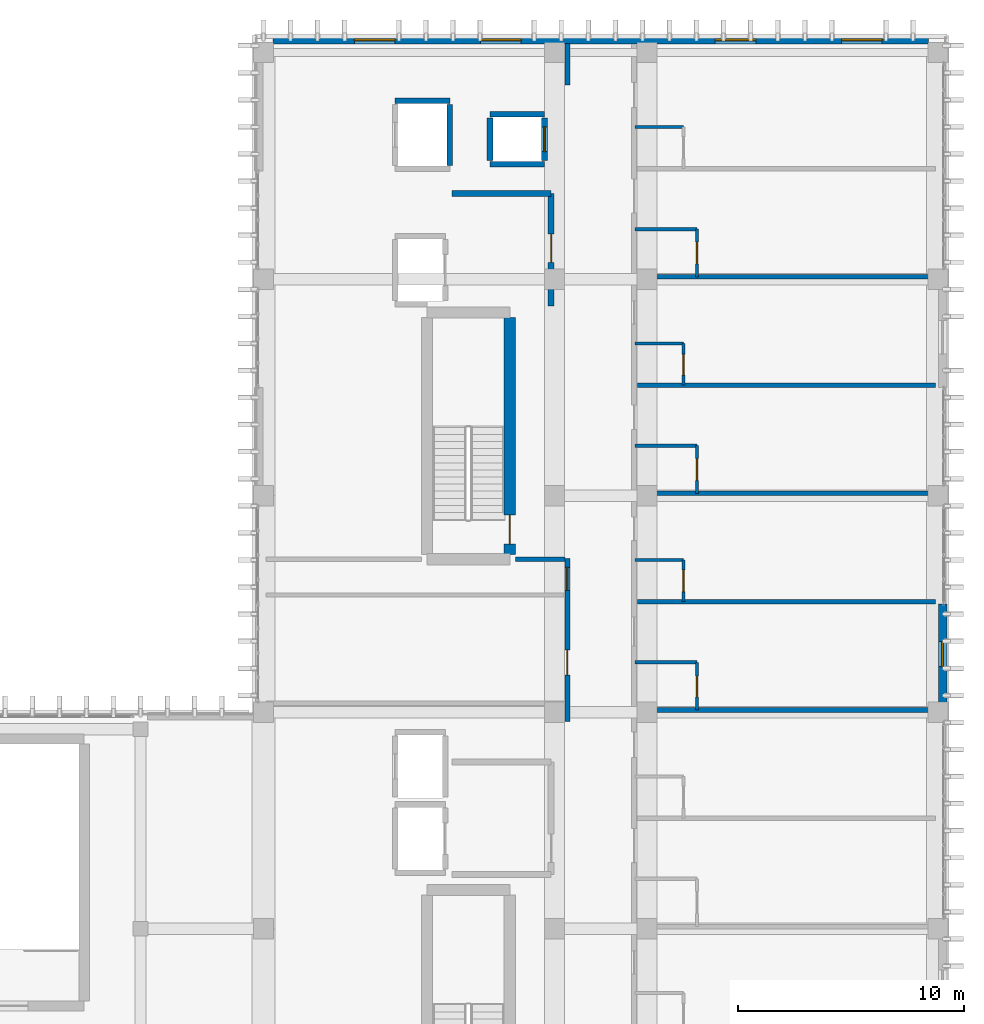
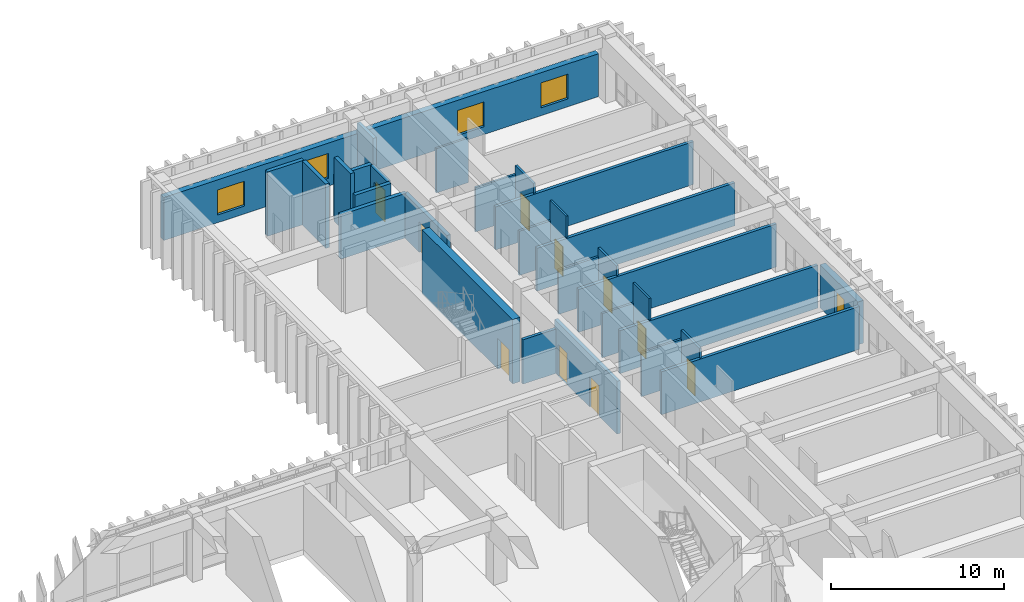
# One storey, part 81 of 101: 30 walls, 10 doors, 5 windows, 15 openings.
"""IFC4 building model written with IfcOpenShell, lengths in metres."""

from ifc_helpers import new_model, si_unit, direction, frame, frame_2d, origin, place, context, subcontext, project, spatial, rectangle, extrude, material, layer, layer_set, type_object, element, fill, save


model = new_model("IFC4")

# Units and contexts
model_context = context("Model", 3, precision=1e-05, world=origin(), true_north=direction((0.0, 1.0)))
body_context = subcontext(model_context, "Body", "Model", "MODEL_VIEW")
ifc_project = project(units=[si_unit("LENGTHUNIT", "METRE"), si_unit("AREAUNIT", "SQUARE_METRE"), si_unit("VOLUMEUNIT", "CUBIC_METRE"), si_unit("PLANEANGLEUNIT", "RADIAN"), si_unit("MASSUNIT", "GRAM", prefix="KILO")], contexts=[model_context])

# Site, building, storey
site_placement = place(None, origin())
site = spatial("IfcSite", under=ifc_project, at=site_placement, CompositionType="ELEMENT")
building_placement = place(site_placement, origin())
building = spatial("IfcBuilding", under=site, at=building_placement, Name="Nakhvara Creek Congress Hotel", CompositionType="ELEMENT")
storey_placement = place(building_placement, frame((0.0, 0.0, 16.199951171875)))
storey = spatial("IfcBuildingStorey", under=building, at=storey_placement, Name="L03", CompositionType="ELEMENT", Elevation=16.199951171875)

# Wall, opening, door
ifc_material_1 = material(Name="Concrete C50/60", Category="concrete")
ifc_layer_1 = layer(ifc_material_1, 0.5)
ifc_layer_set_1 = layer_set([ifc_layer_1], Name="Concrete C50/60")
wall_type_1 = type_object("IfcWallType", Name="W-CORE-500", PredefinedType="SHEAR", material=ifc_layer_set_1)
wall_1_placement = place(storey_placement, frame((160.3701171875, 103.0, 0.0), z_axis=(0.0, 0.0, 1.0), x_axis=(0.0, 1.0, 0.0)))
wall_1 = element("IfcWall", 1, at=wall_1_placement, inside=storey, type_object=wall_type_1, Name="Core Shear Wall WS01-CWALL-L03-0361", PredefinedType="SHEAR", context=body_context, shape_type="SweptSolid", body=[
    extrude(rectangle(XDim=10.5, YDim=0.5, at=frame_2d((5.25, 0.0))), origin(), (0.0, 0.0, 1.0), 4.5400390625),
])
opening_1_placement = place(wall_1_placement, frame((0.449951171875, 0.0, 0.0)))
opening_1 = element("IfcOpeningElement", 2, at=opening_1_placement, cuts=wall_1, Name="Opening FD04", PredefinedType="OPENING", context=body_context, shape_type="SweptSolid", body=[
    extrude(rectangle(XDim=1.300048828125, YDim=2.14990234375, at=frame_2d((0.64990234375, 1.074951171875))), frame((0.0, 0.261962890625, 0.0), z_axis=(0.0, -1.0, 0.0), x_axis=(1.0, 0.0, 0.0)), (0.0, 0.0, 1.0), 0.52392578125),
])
ifc_material_2 = material(Name="Powder-coated steel fire door", Category="steel")
door_type_1 = type_object("IfcDoorType", Name="DT-STAIR-130", OperationType="NOTDEFINED", PredefinedType="DOOR", material=ifc_material_2)
door_1_placement = place(opening_1_placement, frame((1.300048828125, 0.0, 0.0), z_axis=(0.0, 0.0, 1.0), x_axis=(-1.0, 0.0, 0.0)))
door_1 = element("IfcDoor", 3, at=door_1_placement, inside=storey, type_object=door_type_1, Name="Stair Exit Door ST02-L03", OperationType="SINGLE_SWING_LEFT", OverallHeight=2.14990234375, OverallWidth=1.300048828125, PredefinedType="DOOR", context=body_context, shape_type="SweptSolid", body=[
    extrude(rectangle(XDim=1.300048828125, YDim=2.14990234375, at=frame_2d((0.64990234375, 1.074951171875))), frame((0.0, 0.02490234375, 0.0), z_axis=(0.0, -1.0, 0.0), x_axis=(1.0, 0.0, 0.0)), (0.0, 0.0, 1.0), 0.050048828125),
])
fill(opening_1, door_1)

# Wall, openings, doors
ifc_material_3 = material(Name="Gypsum acoustic board on steel stud", Category="steel")
ifc_layer_2 = layer(ifc_material_3, 0.219970703125)
ifc_layer_set_2 = layer_set([ifc_layer_2], Name="Gypsum acoustic board on steel stud")
wall_type_2 = type_object("IfcWallType", Name="W-CORR-220", PredefinedType="PARTITIONING", material=ifc_layer_set_2)
wall_2_placement = place(storey_placement, frame((162.919921875, 95.60009765625, 0.0), z_axis=(0.0, 0.0, 1.0), x_axis=(0.0, 1.0, 0.0)))
wall_2 = element("IfcWall", 4, at=wall_2_placement, inside=storey, type_object=wall_type_2, Name="Interior Wall WP11-IW-L03-0210", PredefinedType="PARTITIONING", context=body_context, shape_type="SweptSolid", body=[
    extrude(rectangle(XDim=7.219970703125, YDim=0.219970703125, at=frame_2d((3.60986328125, 0.0))), origin(), (0.0, 0.0, 1.0), 3.73193359375),
])
opening_2_placement = place(wall_2_placement, frame((2.050048828125, 0.0, 0.0)))
opening_2 = element("IfcOpeningElement", 5, at=opening_2_placement, cuts=wall_2, Name="Opening BD01", PredefinedType="OPENING", context=body_context, shape_type="SweptSolid", body=[
    extrude(rectangle(XDim=1.1201171875, YDim=2.14990234375, at=frame_2d((0.56005859375, 1.074951171875))), frame((0.0, 0.1220703125, 0.0), z_axis=(0.0, -1.0, 0.0), x_axis=(1.0, 0.0, 0.0)), (0.0, 0.0, 1.0), 0.243896484375),
])
opening_3_placement = place(wall_2_placement, frame((5.800048828125, 0.0, 0.0)))
opening_3 = element("IfcOpeningElement", 6, at=opening_3_placement, cuts=wall_2, Name="Opening GD01", PredefinedType="OPENING", context=body_context, shape_type="SweptSolid", body=[
    extrude(rectangle(XDim=1.02001953125, YDim=2.199951171875, at=frame_2d((0.510009765625, 1.10009765625))), frame((0.0, 0.1220703125, 0.0), z_axis=(0.0, -1.0, 0.0), x_axis=(1.0, 0.0, 0.0)), (0.0, 0.0, 1.0), 0.243896484375),
])
ifc_material_4 = material(Name="Walnut hardwood timber fire door", Category="wood")
door_type_2 = type_object("IfcDoorType", Name="DT-GUEST-102", OperationType="NOTDEFINED", PredefinedType="DOOR", material=ifc_material_4)
door_2_placement = place(opening_3_placement, frame((1.02001953125, 0.0, 0.0), z_axis=(0.0, 0.0, 1.0), x_axis=(-1.0, 0.0, 0.0)))
door_2 = element("IfcDoor", 7, at=door_2_placement, inside=storey, type_object=door_type_2, Name="Interior Door GD01-0213", OperationType="SINGLE_SWING_RIGHT", OverallHeight=2.199951171875, OverallWidth=1.02001953125, PredefinedType="DOOR", context=body_context, shape_type="SweptSolid", body=[
    extrude(rectangle(XDim=1.02001953125, YDim=2.199951171875, at=frame_2d((0.510009765625, 1.10009765625))), frame((0.0, 0.02490234375, 0.0), z_axis=(0.0, -1.0, 0.0), x_axis=(1.0, 0.0, 0.0)), (0.0, 0.0, 1.0), 0.050048828125),
])
fill(opening_3, door_2)
ifc_material_5 = material(Name="Hardwood-faced service fire door", Category="wood")
door_type_3 = type_object("IfcDoorType", Name="DT-HK-112", OperationType="NOTDEFINED", PredefinedType="DOOR", material=ifc_material_5)
door_3_placement = place(opening_2_placement, frame((1.1201171875, 0.0, 0.0), z_axis=(0.0, 0.0, 1.0), x_axis=(-1.0, 0.0, 0.0)))
door_3 = element("IfcDoor", 8, at=door_3_placement, inside=storey, type_object=door_type_3, Name="Interior Door BD01-0212", OperationType="SINGLE_SWING_LEFT", OverallHeight=2.14990234375, OverallWidth=1.1201171875, PredefinedType="DOOR", context=body_context, shape_type="SweptSolid", body=[
    extrude(rectangle(XDim=1.1201171875, YDim=2.14990234375, at=frame_2d((0.56005859375, 1.074951171875))), frame((0.0, 0.02490234375, 0.0), z_axis=(0.0, -1.0, 0.0), x_axis=(1.0, 0.0, 0.0)), (0.0, 0.0, 1.0), 0.050048828125),
])
fill(opening_2, door_3)

# Wall
wall_3_placement = place(storey_placement, frame((162.919921875, 123.800048828125, 0.0), z_axis=(0.0, 0.0, 1.0), x_axis=(0.0, 1.0, 0.0)))
element("IfcWall", 9, at=wall_3_placement, inside=storey, type_object=wall_type_2, Name="Interior Wall WP11-IW-L03-0211", PredefinedType="PARTITIONING", context=body_context, shape_type="SweptSolid", body=[
    extrude(rectangle(XDim=1.849853515625, YDim=0.219970703125, at=frame_2d((0.9248046875, 0.0))), origin(), (0.0, 0.0, 1.0), 3.781982421875),
])

# Wall, opening, door
ifc_material_6 = material(Name="Moisture-resistant gypsum board partition")
ifc_layer_3 = layer(ifc_material_6, 0.139892578125)
ifc_layer_set_3 = layer_set([ifc_layer_3], Name="Moisture-resistant gypsum board partition")
wall_type_3 = type_object("IfcWallType", Name="W-ENS-140", PredefinedType="PARTITIONING", material=ifc_layer_set_3)
wall_4_placement = place(storey_placement, frame((168.669921875, 96.10009765625, 0.0), z_axis=(0.0, 0.0, 1.0), x_axis=(0.0, 1.0, 0.0)))
wall_4 = element("IfcWall", 10, at=wall_4_placement, inside=storey, type_object=wall_type_3, Name="Interior Wall WP15-IW-L03-0268", PredefinedType="PARTITIONING", context=body_context, shape_type="SweptSolid", body=[
    extrude(rectangle(XDim=2.115966796875, YDim=0.139892578125, at=frame_2d((1.05810546875, 0.0))), origin(), (0.0, 0.0, 1.0), 3.73193359375),
])
opening_4_placement = place(wall_4_placement, frame((0.5830078125, 0.0, 0.0)))
opening_4 = element("IfcOpeningElement", 11, at=opening_4_placement, cuts=wall_4, Name="Opening ID01", PredefinedType="OPENING", context=body_context, shape_type="SweptSolid", body=[
    extrude(rectangle(XDim=0.919921875, YDim=2.10009765625, at=frame_2d((0.4599609375, 1.050048828125))), frame((0.0, 0.08203125, 0.0), z_axis=(0.0, -1.0, 0.0), x_axis=(1.0, 0.0, 0.0)), (0.0, 0.0, 1.0), 0.163818359375),
])
ifc_material_7 = material(Name="Moisture-resistant walnut timber door", Category="wood")
door_type_4 = type_object("IfcDoorType", Name="DT-ENS-092", OperationType="NOTDEFINED", PredefinedType="DOOR", material=ifc_material_7)
door_4_placement = place(opening_4_placement, frame((0.919921875, 0.0, 0.0), z_axis=(0.0, 0.0, 1.0), x_axis=(-1.0, 0.0, 0.0)))
door_4 = element("IfcDoor", 12, at=door_4_placement, inside=storey, type_object=door_type_4, Name="Interior Door ID01-0241", OperationType="SINGLE_SWING_RIGHT", OverallHeight=2.10009765625, OverallWidth=0.919921875, PredefinedType="DOOR", context=body_context, shape_type="SweptSolid", body=[
    extrude(rectangle(XDim=0.919921875, YDim=2.10009765625, at=frame_2d((0.4599609375, 1.050048828125))), frame((0.0, 0.02490234375, 0.0), z_axis=(0.0, -1.0, 0.0), x_axis=(1.0, 0.0, 0.0)), (0.0, 0.0, 1.0), 0.050048828125),
])
fill(opening_4, door_4)

# Wall
wall_5_placement = place(storey_placement, frame((165.919921875, 98.216064453125, 0.0), z_axis=(0.0, 0.0, 1.0), x_axis=(1.0, 0.0, 0.0)))
element("IfcWall", 13, at=wall_5_placement, inside=storey, type_object=wall_type_3, Name="Interior Wall WP15-IW-L03-0269", PredefinedType="PARTITIONING", context=body_context, shape_type="SweptSolid", body=[
    extrude(rectangle(XDim=2.75, YDim=0.139892578125, at=frame_2d((1.375, 0.0))), origin(), (0.0, 0.0, 1.0), 3.132080078125),
])

# Wall, opening, door
wall_6_placement = place(storey_placement, frame((168.070068359375, 100.89990234375, 0.0), z_axis=(0.0, 0.0, 1.0), x_axis=(0.0, 1.0, 0.0)))
wall_6 = element("IfcWall", 14, at=wall_6_placement, inside=storey, type_object=wall_type_3, Name="Interior Wall WP15-IW-L03-0271", PredefinedType="PARTITIONING", context=body_context, shape_type="SweptSolid", body=[
    extrude(rectangle(XDim=1.85009765625, YDim=0.139892578125, at=frame_2d((0.925048828125, 0.0))), origin(), (0.0, 0.0, 1.0), 4.5400390625),
])
opening_5_placement = place(wall_6_placement, frame((0.449951171875, 0.0, 0.0)))
opening_5 = element("IfcOpeningElement", 15, at=opening_5_placement, cuts=wall_6, Name="Opening ID02", PredefinedType="OPENING", context=body_context, shape_type="SweptSolid", body=[
    extrude(rectangle(XDim=0.9599609375, YDim=2.1201171875, at=frame_2d((0.47998046875, 1.06005859375))), frame((0.0, 0.08203125, 0.0), z_axis=(0.0, -1.0, 0.0), x_axis=(1.0, 0.0, 0.0)), (0.0, 0.0, 1.0), 0.163818359375),
])
door_type_5 = type_object("IfcDoorType", Name="DT-ENS-096", OperationType="NOTDEFINED", PredefinedType="DOOR", material=ifc_material_7)
door_5_placement = place(opening_5_placement, frame((0.9599609375, 0.0, 0.0), z_axis=(0.0, 0.0, 1.0), x_axis=(-1.0, 0.0, 0.0)))
door_5 = element("IfcDoor", 16, at=door_5_placement, inside=storey, type_object=door_type_5, Name="Interior Door ID02-0243", OperationType="SINGLE_SWING_RIGHT", OverallHeight=2.1201171875, OverallWidth=0.9599609375, PredefinedType="DOOR", context=body_context, shape_type="SweptSolid", body=[
    extrude(rectangle(XDim=0.9599609375, YDim=2.1201171875, at=frame_2d((0.47998046875, 1.06005859375))), frame((0.0, 0.02490234375, 0.0), z_axis=(0.0, -1.0, 0.0), x_axis=(1.0, 0.0, 0.0)), (0.0, 0.0, 1.0), 0.050048828125),
])
fill(opening_5, door_5)

# Wall
wall_7_placement = place(storey_placement, frame((165.919921875, 102.75, 0.0), z_axis=(0.0, 0.0, 1.0), x_axis=(1.0, 0.0, 0.0)))
element("IfcWall", 17, at=wall_7_placement, inside=storey, type_object=wall_type_3, Name="Interior Wall WP15-IW-L03-0272", PredefinedType="PARTITIONING", context=body_context, shape_type="SweptSolid", body=[
    extrude(rectangle(XDim=2.150146484375, YDim=0.139892578125, at=frame_2d((1.0751953125, 0.0))), origin(), (0.0, 0.0, 1.0), 3.132080078125),
])

# Wall, opening, door
wall_8_placement = place(storey_placement, frame((168.669921875, 105.699951171875, 0.0), z_axis=(0.0, 0.0, 1.0), x_axis=(0.0, 1.0, 0.0)))
wall_8 = element("IfcWall", 18, at=wall_8_placement, inside=storey, type_object=wall_type_3, Name="Interior Wall WP15-IW-L03-0274", PredefinedType="PARTITIONING", context=body_context, shape_type="SweptSolid", body=[
    extrude(rectangle(XDim=2.115966796875, YDim=0.139892578125, at=frame_2d((1.05810546875, 0.0))), origin(), (0.0, 0.0, 1.0), 3.73193359375),
])
opening_6_placement = place(wall_8_placement, frame((0.5830078125, 0.0, 0.0)))
opening_6 = element("IfcOpeningElement", 19, at=opening_6_placement, cuts=wall_8, Name="Opening ID02", PredefinedType="OPENING", context=body_context, shape_type="SweptSolid", body=[
    extrude(rectangle(XDim=0.9599609375, YDim=2.1201171875, at=frame_2d((0.47998046875, 1.06005859375))), frame((0.0, 0.08203125, 0.0), z_axis=(0.0, -1.0, 0.0), x_axis=(1.0, 0.0, 0.0)), (0.0, 0.0, 1.0), 0.163818359375),
])
door_6_placement = place(opening_6_placement, frame((0.9599609375, 0.0, 0.0), z_axis=(0.0, 0.0, 1.0), x_axis=(-1.0, 0.0, 0.0)))
door_6 = element("IfcDoor", 20, at=door_6_placement, inside=storey, type_object=door_type_5, Name="Interior Door ID02-0245", OperationType="SINGLE_SWING_RIGHT", OverallHeight=2.1201171875, OverallWidth=0.9599609375, PredefinedType="DOOR", context=body_context, shape_type="SweptSolid", body=[
    extrude(rectangle(XDim=0.9599609375, YDim=2.1201171875, at=frame_2d((0.47998046875, 1.06005859375))), frame((0.0, 0.02490234375, 0.0), z_axis=(0.0, -1.0, 0.0), x_axis=(1.0, 0.0, 0.0)), (0.0, 0.0, 1.0), 0.050048828125),
])
fill(opening_6, door_6)

# Wall
wall_9_placement = place(storey_placement, frame((165.919921875, 107.81591796875, 0.0), z_axis=(0.0, 0.0, 1.0), x_axis=(1.0, 0.0, 0.0)))
element("IfcWall", 21, at=wall_9_placement, inside=storey, type_object=wall_type_3, Name="Interior Wall WP15-IW-L03-0275", PredefinedType="PARTITIONING", context=body_context, shape_type="SweptSolid", body=[
    extrude(rectangle(XDim=2.75, YDim=0.139892578125, at=frame_2d((1.375, 0.0))), origin(), (0.0, 0.0, 1.0), 3.132080078125),
])

# Wall, opening, door
wall_10_placement = place(storey_placement, frame((168.070068359375, 110.5, 0.0), z_axis=(0.0, 0.0, 1.0), x_axis=(0.0, 1.0, 0.0)))
wall_10 = element("IfcWall", 22, at=wall_10_placement, inside=storey, type_object=wall_type_3, Name="Interior Wall WP15-IW-L03-0277", PredefinedType="PARTITIONING", context=body_context, shape_type="SweptSolid", body=[
    extrude(rectangle(XDim=1.85009765625, YDim=0.139892578125, at=frame_2d((0.925048828125, 0.0))), origin(), (0.0, 0.0, 1.0), 4.5400390625),
])
opening_7_placement = place(wall_10_placement, frame((0.449951171875, 0.0, 0.0)))
opening_7 = element("IfcOpeningElement", 23, at=opening_7_placement, cuts=wall_10, Name="Opening ID01", PredefinedType="OPENING", context=body_context, shape_type="SweptSolid", body=[
    extrude(rectangle(XDim=0.919921875, YDim=2.10009765625, at=frame_2d((0.4599609375, 1.050048828125))), frame((0.0, 0.08203125, 0.0), z_axis=(0.0, -1.0, 0.0), x_axis=(1.0, 0.0, 0.0)), (0.0, 0.0, 1.0), 0.163818359375),
])
door_7_placement = place(opening_7_placement, frame((0.919921875, 0.0, 0.0), z_axis=(0.0, 0.0, 1.0), x_axis=(-1.0, 0.0, 0.0)))
door_7 = element("IfcDoor", 24, at=door_7_placement, inside=storey, type_object=door_type_4, Name="Interior Door ID01-0247", OperationType="SINGLE_SWING_RIGHT", OverallHeight=2.10009765625, OverallWidth=0.919921875, PredefinedType="DOOR", context=body_context, shape_type="SweptSolid", body=[
    extrude(rectangle(XDim=0.919921875, YDim=2.10009765625, at=frame_2d((0.4599609375, 1.050048828125))), frame((0.0, 0.02490234375, 0.0), z_axis=(0.0, -1.0, 0.0), x_axis=(1.0, 0.0, 0.0)), (0.0, 0.0, 1.0), 0.050048828125),
])
fill(opening_7, door_7)

# Wall
wall_11_placement = place(storey_placement, frame((165.919921875, 112.35009765625, 0.0), z_axis=(0.0, 0.0, 1.0), x_axis=(1.0, 0.0, 0.0)))
element("IfcWall", 25, at=wall_11_placement, inside=storey, type_object=wall_type_3, Name="Interior Wall WP15-IW-L03-0278", PredefinedType="PARTITIONING", context=body_context, shape_type="SweptSolid", body=[
    extrude(rectangle(XDim=2.150146484375, YDim=0.139892578125, at=frame_2d((1.0751953125, 0.0))), origin(), (0.0, 0.0, 1.0), 3.132080078125),
])

# Wall, opening, door
wall_12_placement = place(storey_placement, frame((168.669921875, 115.300048828125, 0.0), z_axis=(0.0, 0.0, 1.0), x_axis=(0.0, 1.0, 0.0)))
wall_12 = element("IfcWall", 26, at=wall_12_placement, inside=storey, type_object=wall_type_3, Name="Interior Wall WP15-IW-L03-0280", PredefinedType="PARTITIONING", context=body_context, shape_type="SweptSolid", body=[
    extrude(rectangle(XDim=2.115966796875, YDim=0.139892578125, at=frame_2d((1.05810546875, 0.0))), origin(), (0.0, 0.0, 1.0), 3.73193359375),
])
opening_8_placement = place(wall_12_placement, frame((0.5830078125, 0.0, 0.0)))
opening_8 = element("IfcOpeningElement", 27, at=opening_8_placement, cuts=wall_12, Name="Opening ID02", PredefinedType="OPENING", context=body_context, shape_type="SweptSolid", body=[
    extrude(rectangle(XDim=0.9599609375, YDim=2.1201171875, at=frame_2d((0.47998046875, 1.06005859375))), frame((0.0, 0.08203125, 0.0), z_axis=(0.0, -1.0, 0.0), x_axis=(1.0, 0.0, 0.0)), (0.0, 0.0, 1.0), 0.163818359375),
])
door_8_placement = place(opening_8_placement, frame((0.9599609375, 0.0, 0.0), z_axis=(0.0, 0.0, 1.0), x_axis=(-1.0, 0.0, 0.0)))
door_8 = element("IfcDoor", 28, at=door_8_placement, inside=storey, type_object=door_type_5, Name="Interior Door ID02-0249", OperationType="SINGLE_SWING_RIGHT", OverallHeight=2.1201171875, OverallWidth=0.9599609375, PredefinedType="DOOR", context=body_context, shape_type="SweptSolid", body=[
    extrude(rectangle(XDim=0.9599609375, YDim=2.1201171875, at=frame_2d((0.47998046875, 1.06005859375))), frame((0.0, 0.02490234375, 0.0), z_axis=(0.0, -1.0, 0.0), x_axis=(1.0, 0.0, 0.0)), (0.0, 0.0, 1.0), 0.050048828125),
])
fill(opening_8, door_8)

# Walls
wall_13_placement = place(storey_placement, frame((165.919921875, 117.416015625, 0.0), z_axis=(0.0, 0.0, 1.0), x_axis=(1.0, 0.0, 0.0)))
element("IfcWall", 29, at=wall_13_placement, inside=storey, type_object=wall_type_3, Name="Interior Wall WP15-IW-L03-0281", PredefinedType="PARTITIONING", context=body_context, shape_type="SweptSolid", body=[
    extrude(rectangle(XDim=2.75, YDim=0.139892578125, at=frame_2d((1.375, 0.0))), origin(), (0.0, 0.0, 1.0), 3.132080078125),
])
wall_14_placement = place(storey_placement, frame((165.919921875, 121.949951171875, 0.0), z_axis=(0.0, 0.0, 1.0), x_axis=(1.0, 0.0, 0.0)))
element("IfcWall", 30, at=wall_14_placement, inside=storey, type_object=wall_type_3, Name="Interior Wall WP15-IW-L03-0284", PredefinedType="PARTITIONING", context=body_context, shape_type="SweptSolid", body=[
    extrude(rectangle(XDim=2.150146484375, YDim=0.139892578125, at=frame_2d((1.0751953125, 0.0))), origin(), (0.0, 0.0, 1.0), 3.132080078125),
])

# Wall, openings, windows
ifc_material_8 = material(Name="Honed pale Omani limestone cladding", Category="masonry")
ifc_layer_4 = layer(ifc_material_8, 0.050048828125)
ifc_material_9 = material(Name="Mineral wool thermal insulation")
ifc_layer_5 = layer(ifc_material_9, 0.110107421875)
ifc_material_10 = material(Name="Precast concrete C40/50", Category="concrete")
ifc_layer_6 = layer(ifc_material_10, 0.219970703125)
ifc_layer_set_4 = layer_set([ifc_layer_4, ifc_layer_5, ifc_layer_6], Name="Precast concrete C40/50")
wall_type_4 = type_object("IfcWallType", Name="W-EXT-380", PredefinedType="SOLIDWALL", material=ifc_layer_set_4)
wall_15_placement = place(storey_placement, frame((149.875, 125.81005859375, 0.0), z_axis=(0.0, 0.0, 1.0), x_axis=(1.0, 0.0, 0.0)))
wall_15 = element("IfcWall", 31, at=wall_15_placement, inside=storey, type_object=wall_type_4, Name="Exterior Wall WE03-EW-L03-0119", PredefinedType="SOLIDWALL", context=body_context, shape_type="SweptSolid", body=[
    extrude(rectangle(XDim=29.050048828125, YDim=0.3798828125, at=frame_2d((14.52490234375, 0.0))), origin(), (0.0, 0.0, 1.0), 3.031982421875),
])
opening_9_placement = place(wall_15_placement, frame((3.60009765625, 0.0, 0.550048828125)))
opening_9 = element("IfcOpeningElement", 32, at=opening_9_placement, cuts=wall_15, Name="Opening WN0126", PredefinedType="OPENING", context=body_context, shape_type="SweptSolid", body=[
    extrude(rectangle(XDim=1.800048828125, YDim=1.760009765625, at=frame_2d((0.89990234375, 0.8798828125))), frame((0.0, 0.201904296875, 0.0), z_axis=(0.0, -1.0, 0.0), x_axis=(1.0, 0.0, 0.0)), (0.0, 0.0, 1.0), 0.40380859375),
])
opening_10_placement = place(wall_15_placement, frame((9.199951171875, 0.0, 0.550048828125)))
opening_10 = element("IfcOpeningElement", 33, at=opening_10_placement, cuts=wall_15, Name="Opening WN0127", PredefinedType="OPENING", context=body_context, shape_type="SweptSolid", body=[
    extrude(rectangle(XDim=1.800048828125, YDim=1.760009765625, at=frame_2d((0.89990234375, 0.8798828125))), frame((0.0, 0.201904296875, 0.0), z_axis=(0.0, -1.0, 0.0), x_axis=(1.0, 0.0, 0.0)), (0.0, 0.0, 1.0), 0.40380859375),
])
opening_11_placement = place(wall_15_placement, frame((19.60009765625, 0.0, 0.550048828125)))
opening_11 = element("IfcOpeningElement", 34, at=opening_11_placement, cuts=wall_15, Name="Opening WN0128", PredefinedType="OPENING", context=body_context, shape_type="SweptSolid", body=[
    extrude(rectangle(XDim=1.800048828125, YDim=1.760009765625, at=frame_2d((0.89990234375, 0.8798828125))), frame((0.0, 0.201904296875, 0.0), z_axis=(0.0, -1.0, 0.0), x_axis=(1.0, 0.0, 0.0)), (0.0, 0.0, 1.0), 0.40380859375),
])
opening_12_placement = place(wall_15_placement, frame((25.199951171875, 0.0, 0.550048828125)))
opening_12 = element("IfcOpeningElement", 35, at=opening_12_placement, cuts=wall_15, Name="Opening WN0129", PredefinedType="OPENING", context=body_context, shape_type="SweptSolid", body=[
    extrude(rectangle(XDim=1.800048828125, YDim=1.760009765625, at=frame_2d((0.89990234375, 0.8798828125))), frame((0.0, 0.201904296875, 0.0), z_axis=(0.0, -1.0, 0.0), x_axis=(1.0, 0.0, 0.0)), (0.0, 0.0, 1.0), 0.40380859375),
])
ifc_material_11 = material(Name="Thermally broken bronze-anodised aluminium and double-silver low-E insulated glass", Category="aluminium")
window_type_1 = type_object("IfcWindowType", Name="WN-LAN-180X225", PartitioningType="SINGLE_PANEL", PredefinedType="WINDOW", material=ifc_material_11)
window_1_placement = place(opening_9_placement, origin())
window_1 = element("IfcWindow", 36, at=window_1_placement, inside=storey, type_object=window_type_1, Name="Facade Window WN0126", OverallHeight=1.760009765625, OverallWidth=1.800048828125, PartitioningType="SINGLE_PANEL", PredefinedType="WINDOW", context=body_context, shape_type="SweptSolid", body=[
    extrude(rectangle(XDim=1.800048828125, YDim=1.760009765625, at=frame_2d((0.89990234375, 0.8798828125))), frame((0.0, 0.030029296875, 0.0), z_axis=(0.0, -1.0, 0.0), x_axis=(1.0, 0.0, 0.0)), (0.0, 0.0, 1.0), 0.06005859375),
])
fill(opening_9, window_1)
window_2_placement = place(opening_10_placement, origin())
window_2 = element("IfcWindow", 37, at=window_2_placement, inside=storey, type_object=window_type_1, Name="Facade Window WN0127", OverallHeight=1.760009765625, OverallWidth=1.800048828125, PartitioningType="SINGLE_PANEL", PredefinedType="WINDOW", context=body_context, shape_type="SweptSolid", body=[
    extrude(rectangle(XDim=1.800048828125, YDim=1.760009765625, at=frame_2d((0.89990234375, 0.8798828125))), frame((0.0, 0.030029296875, 0.0), z_axis=(0.0, -1.0, 0.0), x_axis=(1.0, 0.0, 0.0)), (0.0, 0.0, 1.0), 0.06005859375),
])
fill(opening_10, window_2)
window_3_placement = place(opening_11_placement, origin())
window_3 = element("IfcWindow", 38, at=window_3_placement, inside=storey, type_object=window_type_1, Name="Facade Window WN0128", OverallHeight=1.760009765625, OverallWidth=1.800048828125, PartitioningType="SINGLE_PANEL", PredefinedType="WINDOW", context=body_context, shape_type="SweptSolid", body=[
    extrude(rectangle(XDim=1.800048828125, YDim=1.760009765625, at=frame_2d((0.89990234375, 0.8798828125))), frame((0.0, 0.030029296875, 0.0), z_axis=(0.0, -1.0, 0.0), x_axis=(1.0, 0.0, 0.0)), (0.0, 0.0, 1.0), 0.06005859375),
])
fill(opening_11, window_3)
window_4_placement = place(opening_12_placement, origin())
window_4 = element("IfcWindow", 39, at=window_4_placement, inside=storey, type_object=window_type_1, Name="Facade Window WN0129", OverallHeight=1.760009765625, OverallWidth=1.800048828125, PartitioningType="SINGLE_PANEL", PredefinedType="WINDOW", context=body_context, shape_type="SweptSolid", body=[
    extrude(rectangle(XDim=1.800048828125, YDim=1.760009765625, at=frame_2d((0.89990234375, 0.8798828125))), frame((0.0, 0.030029296875, 0.0), z_axis=(0.0, -1.0, 0.0), x_axis=(1.0, 0.0, 0.0)), (0.0, 0.0, 1.0), 0.06005859375),
])
fill(opening_12, window_4)

# Wall, opening, window
wall_16_placement = place(storey_placement, frame((179.56005859375, 100.800048828125, 0.0), z_axis=(0.0, 0.0, 1.0), x_axis=(0.0, -1.0, 0.0)))
wall_16 = element("IfcWall", 40, at=wall_16_placement, inside=storey, type_object=wall_type_4, Name="Exterior Wall WE03-EW-L03-0127", PredefinedType="SOLIDWALL", context=body_context, shape_type="SweptSolid", body=[
    extrude(rectangle(XDim=4.375, YDim=0.3798828125, at=frame_2d((2.1875, 0.0))), origin(), (0.0, 0.0, 1.0), 3.031982421875),
])
opening_13_placement = place(wall_16_placement, frame((1.672607421875, 0.0, 0.550048828125)))
opening_13 = element("IfcOpeningElement", 41, at=opening_13_placement, cuts=wall_16, Name="Opening WN0137", PredefinedType="OPENING", context=body_context, shape_type="SweptSolid", body=[
    extrude(rectangle(XDim=1.10009765625, YDim=1.699951171875, at=frame_2d((0.550048828125, 0.85009765625))), frame((0.0, 0.201904296875, 0.0), z_axis=(0.0, -1.0, 0.0), x_axis=(1.0, 0.0, 0.0)), (0.0, 0.0, 1.0), 0.40380859375),
])
window_type_2 = type_object("IfcWindowType", Name="WN-LAN-110X215", PartitioningType="SINGLE_PANEL", PredefinedType="WINDOW", material=ifc_material_11)
window_5_placement = place(opening_13_placement, origin())
window_5 = element("IfcWindow", 42, at=window_5_placement, inside=storey, type_object=window_type_2, Name="Facade Window WN0137", OverallHeight=1.699951171875, OverallWidth=1.10009765625, PartitioningType="SINGLE_PANEL", PredefinedType="WINDOW", context=body_context, shape_type="SweptSolid", body=[
    extrude(rectangle(XDim=1.10009765625, YDim=1.699951171875, at=frame_2d((0.550048828125, 0.85009765625))), frame((0.0, 0.030029296875, 0.0), z_axis=(0.0, -1.0, 0.0), x_axis=(1.0, 0.0, 0.0)), (0.0, 0.0, 1.0), 0.06005859375),
])
fill(opening_13, window_5)

# Wall, opening, door
ifc_material_12 = material(Name="Concrete C40/50", Category="concrete")
ifc_layer_7 = layer(ifc_material_12, 0.260009765625)
ifc_layer_set_5 = layer_set([ifc_layer_7], Name="Concrete C40/50")
wall_type_5 = type_object("IfcWallType", Name="W-FFL-260", PredefinedType="SOLIDWALL", material=ifc_layer_set_5)
wall_17_placement = place(storey_placement, frame((162.199951171875, 114.0, 0.0), z_axis=(0.0, 0.0, 1.0), x_axis=(0.0, 1.0, 0.0)))
wall_17 = element("IfcWall", 43, at=wall_17_placement, inside=storey, type_object=wall_type_5, Name="Core Shear Wall WI03-CWALL-L03-0374", PredefinedType="SOLIDWALL", context=body_context, shape_type="SweptSolid", body=[
    extrude(rectangle(XDim=5.0, YDim=0.260009765625, at=frame_2d((2.5, 0.0))), origin(), (0.0, 0.0, 1.0), 3.132080078125),
])
opening_14_placement = place(wall_17_placement, frame((1.949951171875, 0.0, 0.0)))
opening_14 = element("IfcOpeningElement", 44, at=opening_14_placement, cuts=wall_17, Name="Opening FD05", PredefinedType="OPENING", context=body_context, shape_type="SweptSolid", body=[
    extrude(rectangle(XDim=1.25, YDim=2.14990234375, at=frame_2d((0.625, 1.074951171875))), frame((0.0, 0.14208984375, 0.0), z_axis=(0.0, -1.0, 0.0), x_axis=(1.0, 0.0, 0.0)), (0.0, 0.0, 1.0), 0.283935546875),
])
ifc_material_13 = material(Name="Hardwood-veneered steel fire door", Category="steel")
door_type_6 = type_object("IfcDoorType", Name="DT-FFL-125", OperationType="NOTDEFINED", PredefinedType="DOOR", material=ifc_material_13)
door_9_placement = place(opening_14_placement, origin())
door_9 = element("IfcDoor", 45, at=door_9_placement, inside=storey, type_object=door_type_6, Name="Firefighting Lobby Door C2-L03", OperationType="DOUBLE_DOOR_SINGLE_SWING", OverallHeight=2.14990234375, OverallWidth=1.25, PredefinedType="DOOR", context=body_context, shape_type="SweptSolid", body=[
    extrude(rectangle(XDim=1.25, YDim=2.14990234375, at=frame_2d((0.625, 1.074951171875))), frame((0.0, 0.02490234375, 0.0), z_axis=(0.0, -1.0, 0.0), x_axis=(1.0, 0.0, 0.0)), (0.0, 0.0, 1.0), 0.050048828125),
])
fill(opening_14, door_9)

# Walls
wall_18_placement = place(storey_placement, frame((157.800048828125, 119.0, 0.0), z_axis=(0.0, 0.0, 1.0), x_axis=(1.0, 0.0, 0.0)))
element("IfcWall", 46, at=wall_18_placement, inside=storey, type_object=wall_type_5, Name="Core Shear Wall WI03-CWALL-L03-0375", PredefinedType="SOLIDWALL", context=body_context, shape_type="SweptSolid", body=[
    extrude(rectangle(XDim=4.39990234375, YDim=0.260009765625, at=frame_2d((2.199951171875, 0.0))), origin(), (0.0, 0.0, 1.0), 3.132080078125),
])
ifc_layer_8 = layer(ifc_material_3, 0.199951171875)
ifc_layer_set_6 = layer_set([ifc_layer_8], Name="Gypsum acoustic board on steel stud")
wall_type_6 = type_object("IfcWallType", Name="W-PART-200", PredefinedType="PARTITIONING", material=ifc_layer_set_6)
wall_19_placement = place(storey_placement, frame((160.6201171875, 102.780029296875, 0.0), z_axis=(0.0, 0.0, 1.0), x_axis=(1.0, 0.0, 0.0)))
element("IfcWall", 47, at=wall_19_placement, inside=storey, type_object=wall_type_6, Name="Interior Wall WP12-IW-L03-0232", PredefinedType="PARTITIONING", context=body_context, shape_type="SweptSolid", body=[
    extrude(rectangle(XDim=2.18994140625, YDim=0.199951171875, at=frame_2d((1.094970703125, 0.0))), origin(), (0.0, 0.0, 1.0), 3.132080078125),
])
for number, where, z_axis, x_axis, name in (
    (48, (166.02001953125, 96.10009765625, 0.0), (0.0, 0.0, 1.0), (1.0, 0.0, 0.0), "Interior Wall WP12-IW-L03-0267"),
    (49, (166.02001953125, 100.89990234375, 0.0), (0.0, 0.0, 1.0), (1.0, 0.0, 0.0), "Interior Wall WP12-IW-L03-0270"),
    (50, (166.02001953125, 105.699951171875, 0.0), (0.0, 0.0, 1.0), (1.0, 0.0, 0.0), "Interior Wall WP12-IW-L03-0273"),
    (51, (166.02001953125, 110.5, 0.0), (0.0, 0.0, 1.0), (1.0, 0.0, 0.0), "Interior Wall WP12-IW-L03-0276"),
    (52, (166.02001953125, 115.300048828125, 0.0), (0.0, 0.0, 1.0), (1.0, 0.0, 0.0), "Interior Wall WP12-IW-L03-0279"),
):
    element("IfcWall", number, at=place(storey_placement, frame(where, z_axis=z_axis, x_axis=x_axis)), inside=storey, type_object=wall_type_6, Name=name, PredefinedType="PARTITIONING", context=body_context, shape_type="SweptSolid", body=[
        extrude(rectangle(XDim=13.22998046875, YDim=0.199951171875, at=frame_2d((6.614990234375, 0.0))), origin(), (0.0, 0.0, 1.0), 3.031982421875),
    ])
ifc_layer_9 = layer(ifc_material_12, 0.25)
ifc_layer_set_7 = layer_set([ifc_layer_9], Name="Concrete C40/50")
wall_type_7 = type_object("IfcWallType", Name="W-SHAFT-250", PredefinedType="SOLIDWALL", material=ifc_layer_set_7)
for number, where, z_axis, x_axis, name in (
    (53, (159.489990234375, 120.2900390625, 0.0), (0.0, 0.0, 1.0), (1.0, 0.0, 0.0), "Core Shear Wall WI02-CWALL-L03-0366"),
    (54, (159.489990234375, 122.510009765625, 0.0), (0.0, 0.0, 1.0), (1.0, 0.0, 0.0), "Core Shear Wall WI02-CWALL-L03-0367"),
):
    element("IfcWall", number, at=place(storey_placement, frame(where, z_axis=z_axis, x_axis=x_axis)), inside=storey, type_object=wall_type_7, Name=name, PredefinedType="SOLIDWALL", context=body_context, shape_type="SweptSolid", body=[
        extrude(rectangle(XDim=2.419921875, YDim=0.25, at=frame_2d((1.2099609375, 0.0))), origin(), (0.0, 0.0, 1.0), 3.132080078125),
    ])
wall_20_placement = place(storey_placement, frame((159.489990234375, 120.449951171875, 0.0), z_axis=(0.0, 0.0, 1.0), x_axis=(0.0, 1.0, 0.0)))
element("IfcWall", 55, at=wall_20_placement, inside=storey, type_object=wall_type_7, Name="Core Shear Wall WI02-CWALL-L03-0368", PredefinedType="SOLIDWALL", context=body_context, shape_type="SweptSolid", body=[
    extrude(rectangle(XDim=1.900146484375, YDim=0.25, at=frame_2d((0.9501953125, 0.0))), origin(), (0.0, 0.0, 1.0), 4.5400390625),
])

# Wall, opening, door
wall_21_placement = place(storey_placement, frame((161.909912109375, 120.449951171875, 0.0), z_axis=(0.0, 0.0, 1.0), x_axis=(0.0, 1.0, 0.0)))
wall_21 = element("IfcWall", 56, at=wall_21_placement, inside=storey, type_object=wall_type_7, Name="Core Shear Wall WI02-CWALL-L03-0369", PredefinedType="SOLIDWALL", context=body_context, shape_type="SweptSolid", body=[
    extrude(rectangle(XDim=1.900146484375, YDim=0.25, at=frame_2d((0.9501953125, 0.0))), origin(), (0.0, 0.0, 1.0), 3.132080078125),
])
opening_15_placement = place(wall_21_placement, frame((0.39990234375, 0.0, 0.0)))
opening_15 = element("IfcOpeningElement", 57, at=opening_15_placement, cuts=wall_21, Name="Opening LD01", PredefinedType="OPENING", context=body_context, shape_type="SweptSolid", body=[
    extrude(rectangle(XDim=1.10009765625, YDim=2.199951171875, at=frame_2d((0.550048828125, 1.10009765625))), frame((0.0, 0.136962890625, 0.0), z_axis=(0.0, -1.0, 0.0), x_axis=(1.0, 0.0, 0.0)), (0.0, 0.0, 1.0), 0.27392578125),
])
ifc_material_14 = material(Name="Brushed stainless steel sliding landing door", Category="steel")
door_type_7 = type_object("IfcDoorType", Name="DT-LIFT-110", OperationType="DOUBLE_DOOR_SLIDING", PredefinedType="DOOR", material=ifc_material_14)
door_10_placement = place(opening_15_placement, origin())
door_10 = element("IfcDoor", 58, at=door_10_placement, inside=storey, type_object=door_type_7, Name="Landing Door PL01-L03", OperationType="SLIDING_TO_LEFT", OverallHeight=2.199951171875, OverallWidth=1.10009765625, PredefinedType="DOOR", context=body_context, shape_type="SweptSolid", body=[
    extrude(rectangle(XDim=1.10009765625, YDim=2.199951171875, at=frame_2d((0.550048828125, 1.10009765625))), frame((0.0, 0.02490234375, 0.0), z_axis=(0.0, -1.0, 0.0), x_axis=(1.0, 0.0, 0.0)), (0.0, 0.0, 1.0), 0.050048828125),
])
fill(opening_15, door_10)

# Walls
wall_22_placement = place(storey_placement, frame((155.2900390625, 123.110107421875, 0.0), z_axis=(0.0, 0.0, 1.0), x_axis=(1.0, 0.0, 0.0)))
element("IfcWall", 59, at=wall_22_placement, inside=storey, type_object=wall_type_7, Name="Core Shear Wall WI02-CWALL-L03-0371", PredefinedType="SOLIDWALL", context=body_context, shape_type="SweptSolid", body=[
    extrude(rectangle(XDim=2.419921875, YDim=0.25, at=frame_2d((1.2099609375, 0.0))), origin(), (0.0, 0.0, 1.0), 4.5400390625),
])
wall_23_placement = place(storey_placement, frame((157.7099609375, 120.25, 0.0), z_axis=(0.0, 0.0, 1.0), x_axis=(0.0, 1.0, 0.0)))
element("IfcWall", 60, at=wall_23_placement, inside=storey, type_object=wall_type_7, Name="Core Shear Wall WI02-CWALL-L03-0373", PredefinedType="SOLIDWALL", context=body_context, shape_type="SweptSolid", body=[
    extrude(rectangle(XDim=2.699951171875, YDim=0.25, at=frame_2d((1.35009765625, 0.0))), origin(), (0.0, 0.0, 1.0), 4.5400390625),
])

save(model, "model.ifc")
